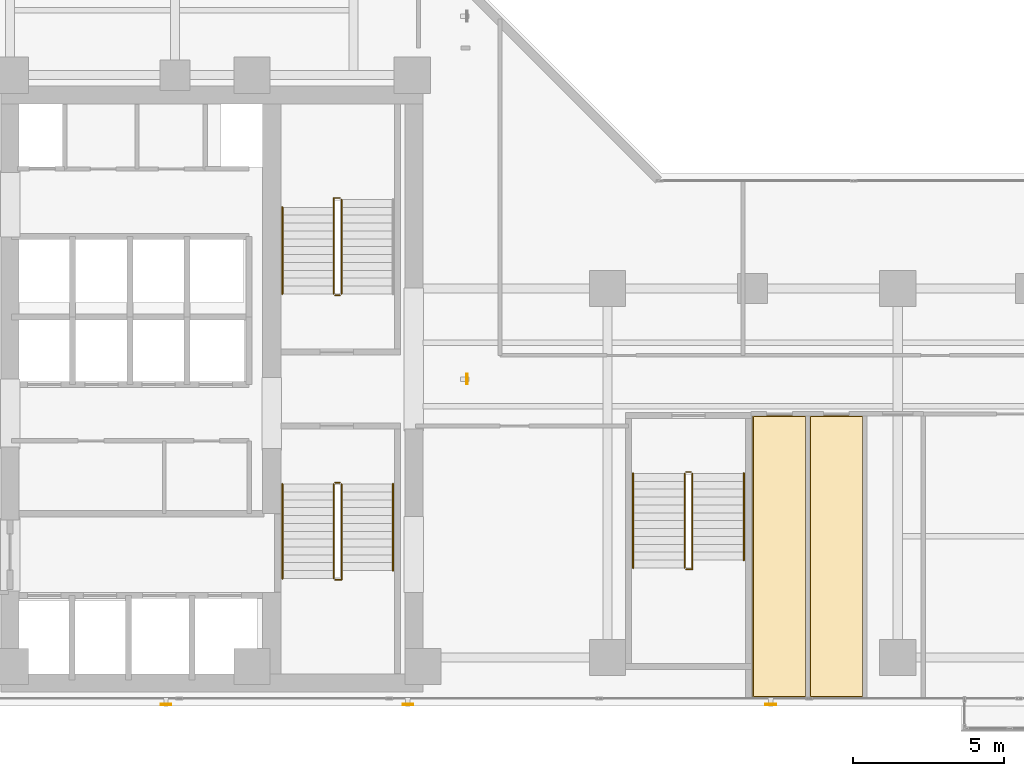
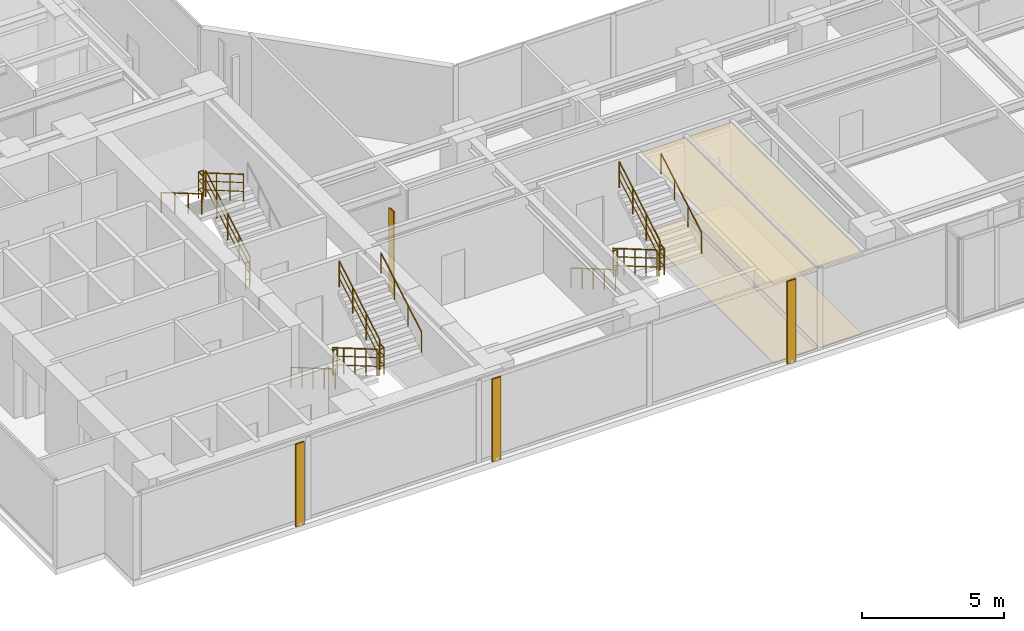
# One storey, part 23 of 26: 17 railings, 4 coverings, 4 shading devices.
"""IFC4 building model written with IfcOpenShell, lengths in metres."""

from ifc_helpers import new_model, si_unit, direction, frame, origin, origin_2d, place, context, subcontext, project, spatial, polyline, hollow_rectangle, circle, outline, extrude, material, layer, layer_set, material_profile, profile_set, type_object, element, save


model = new_model("IFC4")

# Units and contexts
model_context = context("Model", 3, precision=1e-05, world=origin(), true_north=direction((0.0, 1.0)))
body_context = subcontext(model_context, "Body", "Model", "MODEL_VIEW")
ifc_project = project(units=[si_unit("LENGTHUNIT", "METRE"), si_unit("AREAUNIT", "SQUARE_METRE"), si_unit("VOLUMEUNIT", "CUBIC_METRE"), si_unit("PLANEANGLEUNIT", "RADIAN"), si_unit("MASSUNIT", "GRAM", prefix="KILO")], contexts=[model_context])

# Site, building, storey
site_placement = place(None, origin())
site = spatial("IfcSite", under=ifc_project, at=site_placement, CompositionType="ELEMENT")
building_placement = place(site_placement, origin())
building = spatial("IfcBuilding", under=site, at=building_placement, Name="Kolvaren Waterfront Exchange", CompositionType="ELEMENT")
storey_placement = place(building_placement, frame((0.0, 0.0, 165.199951171875)))
storey = spatial("IfcBuildingStorey", under=building, at=storey_placement, Name="L42", CompositionType="ELEMENT", Elevation=165.199951171875)

# Coverings
ifc_material_1 = material(Name="Mineral fibre acoustic ceiling tile")
ifc_layer_1 = layer(ifc_material_1, 0.02490234375, Name="Mineral fibre acoustic ceiling tile")
ifc_layer_set_1 = layer_set([ifc_layer_1], Name="Mineral fibre acoustic ceiling tile")
covering_type_1 = type_object("IfcCoveringType", Name="ARC-CEIL-ACOUSTIC-25", PredefinedType="CEILING", material=ifc_layer_set_1)
covering_1_placement = place(storey_placement, frame((0.0, 0.0, 3.445068359375)))
element("IfcCovering", 1, at=covering_1_placement, inside=storey, type_object=covering_type_1, Name="L42 acoustic suspended ceiling 2", PredefinedType="CEILING", context=body_context, shape_type="SweptSolid", body=[
    extrude(outline(polyline([(33.784912109375, 3.864990234375), (33.784912109375, 13.195068359375), (32.0, 13.195068359375), (32.0, 4.800048828125), (31.9951171875, 4.800048828125), (31.9951171875, 3.864990234375), (33.784912109375, 3.864990234375)])), origin(), (0.0, 0.0, 1.0), 0.02490234375),
])
covering_2_placement = place(storey_placement, frame((0.0, 0.0, 3.445068359375)))
element("IfcCovering", 2, at=covering_2_placement, inside=storey, type_object=covering_type_1, Name="L42 acoustic suspended ceiling 3", PredefinedType="CEILING", context=body_context, shape_type="SweptSolid", body=[
    extrude(outline(polyline([(35.6650390625, 3.864990234375), (35.6650390625, 13.195068359375), (33.875, 13.195068359375), (33.875, 3.864990234375), (35.6650390625, 3.864990234375)])), origin(), (0.0, 0.0, 1.0), 0.02490234375),
])

# Shading devices
ifc_material_2 = material(Name="Anodised bronze aluminium 6063-T6", Category="aluminium")
ifc_material_profile = material_profile(ifc_material_2, hollow_rectangle(XDim=0.06005859375, YDim=0.35009765625, WallThickness=0.0048828125, at=origin_2d()), Name="BRZ-FIN-350x60x5")
ifc_profile_set = profile_set([ifc_material_profile], Name="Anodised bronze aluminium 6063-T6")
shading_device_type = type_object("IfcShadingDeviceType", Name="ARC-FIN-350", PredefinedType="USERDEFINED", material=ifc_profile_set)
for number, where, z_axis, x_axis, name in (
    (3, (12.60009765625, 3.639892578125, 0.0), (0.0, 0.0, 1.0), (0.0, -1.0, 0.0), "L42 anodised bronze solar shading fin FIN-L42-S1"),
    (4, (20.60009765625, 3.639892578125, 0.0), (0.0, 0.0, 1.0), (0.0, -1.0, 0.0), "L42 anodised bronze solar shading fin FIN-L42-S2"),
    (5, (32.60009765625, 3.639892578125, 0.0), (0.0, 0.0, 1.0), (0.0, -1.0, 0.0), "L42 anodised bronze solar shading fin FIN-L42-S3"),
    (6, (22.56005859375, 14.39990234375, 0.0), (0.0, 0.0, 1.0), (1.0, 0.0, 0.0), "L42 anodised bronze solar shading fin FIN-L42-E1"),
):
    element("IfcShadingDevice", number, at=place(storey_placement, frame(where, z_axis=z_axis, x_axis=x_axis)), inside=storey, type_object=shading_device_type, Name=name, ObjectType="SOLAR FIN", PredefinedType="USERDEFINED", context=body_context, shape_type="SweptSolid", body=[
        extrude(hollow_rectangle(XDim=0.06005859375, YDim=0.35009765625, WallThickness=0.0048828125, at=origin_2d()), origin(), (0.0, 0.0, 1.0), 3.56005859375),
    ])

# Coverings
ifc_material_3 = material(Name="Slip-resistant porcelain tile")
ifc_layer_2 = layer(ifc_material_3, 0.014892578125, Name="Slip-resistant porcelain tile")
ifc_layer_set_2 = layer_set([ifc_layer_2], Name="Slip-resistant porcelain tile")
covering_type_2 = type_object("IfcCoveringType", Name="ARC-FLR-PORC-15", PredefinedType="FLOORING", material=ifc_layer_set_2)
covering_3_placement = place(storey_placement, origin())
element("IfcCovering", 7, at=covering_3_placement, inside=storey, type_object=covering_type_2, Name="L42 floor finish 2", PredefinedType="FLOORING", context=body_context, shape_type="SweptSolid", body=[
    extrude(outline(polyline([(32.030029296875, 13.159912109375), (32.030029296875, 3.89990234375), (33.75, 3.89990234375), (33.75, 13.159912109375), (32.030029296875, 13.159912109375)])), origin(), (0.0, 0.0, 1.0), 0.01513671875),
])
covering_4_placement = place(storey_placement, origin())
element("IfcCovering", 8, at=covering_4_placement, inside=storey, type_object=covering_type_2, Name="L42 floor finish 3", PredefinedType="FLOORING", context=body_context, shape_type="SweptSolid", body=[
    extrude(outline(polyline([(33.909912109375, 13.159912109375), (33.909912109375, 3.89990234375), (35.6298828125, 3.89990234375), (35.6298828125, 13.159912109375), (33.909912109375, 13.159912109375)])), origin(), (0.0, 0.0, 1.0), 0.01513671875),
])

# Railings
ifc_material_4 = material(Name="Stainless steel 316", Category="steel")
railing_type_1 = type_object("IfcRailingType", Name="ARC-GUARD-STAIR", PredefinedType="GUARDRAIL", material=ifc_material_4)
railing_1_placement = place(storey_placement, frame((18.14990234375, 10.929931640625, 0.152099609375)))
element("IfcRailing", 9, at=railing_1_placement, inside=storey, type_object=railing_type_1, Name="L42 ST1 stair guard 1", PredefinedType="GUARDRAIL", context=body_context, shape_type="SweptSolid", body=[
    extrude(circle(Radius=0.02392578125, at=origin_2d()), frame((0.0, 0.0, 1.1259765625), z_axis=(0.0, -0.86329090724, 0.504706656858), x_axis=(1.0, 0.0, 0.0)), (0.0, 0.0, 1.0), 3.614013671875),
    extrude(circle(Radius=0.01611328125, at=origin_2d()), frame((0.0, 0.0, 0.390869140625), z_axis=(0.0, -0.86329090724, 0.504706656858), x_axis=(1.0, 0.0, 0.0)), (0.0, 0.0, 1.0), 3.614013671875),
    extrude(circle(Radius=0.01611328125, at=origin_2d()), frame((0.0, 0.0, 0.7705078125), z_axis=(0.0, -0.86329090724, 0.504706656858), x_axis=(1.0, 0.0, 0.0)), (0.0, 0.0, 1.0), 3.614013671875),
    extrude(circle(Radius=0.02099609375, at=origin_2d()), origin(), (0.0, 0.0, 1.0), 1.101806640625),
    extrude(circle(Radius=0.02099609375, at=origin_2d()), frame((0.0, -0.780029296875, 0.4560546875)), (0.0, 0.0, 1.0), 1.101806640625),
    extrude(circle(Radius=0.02099609375, at=origin_2d()), frame((0.0, -1.56005859375, 0.912109375)), (0.0, 0.0, 1.0), 1.101806640625),
    extrude(circle(Radius=0.02099609375, at=origin_2d()), frame((0.0, -2.33984375, 1.367919921875)), (0.0, 0.0, 1.0), 1.101806640625),
    extrude(circle(Radius=0.02099609375, at=origin_2d()), frame((0.0, -3.119873046875, 1.823974609375)), (0.0, 0.0, 1.0), 1.101806640625),
])
railing_2_placement = place(storey_placement, frame((18.199951171875, 7.760009765625, 1.97607421875)))
element("IfcRailing", 10, at=railing_2_placement, inside=storey, type_object=railing_type_1, Name="L42 ST1 stair guard 2", PredefinedType="GUARDRAIL", context=body_context, shape_type="SweptSolid", body=[
    extrude(circle(Radius=0.02392578125, at=origin_2d()), frame((0.0, 0.0, 1.1259765625), z_axis=(1.0, 0.0, 0.0), x_axis=(0.0, 1.0, 0.0)), (0.0, 0.0, 1.0), 0.2099609375),
    extrude(circle(Radius=0.01611328125, at=origin_2d()), frame((0.0, 0.0, 0.390869140625), z_axis=(1.0, 0.0, 0.0), x_axis=(0.0, 1.0, 0.0)), (0.0, 0.0, 1.0), 0.2099609375),
    extrude(circle(Radius=0.01611328125, at=origin_2d()), frame((0.0, 0.0, 0.7705078125), z_axis=(1.0, 0.0, 0.0), x_axis=(0.0, 1.0, 0.0)), (0.0, 0.0, 1.0), 0.2099609375),
    extrude(circle(Radius=0.02392578125, at=origin_2d()), frame((0.2099609375, 0.0, 1.1259765625), z_axis=(0.0, 1.0, 0.0), x_axis=(-1.0, 0.0, 0.0)), (0.0, 0.0, 1.0), 0.31005859375),
    extrude(circle(Radius=0.01611328125, at=origin_2d()), frame((0.2099609375, 0.0, 0.390869140625), z_axis=(0.0, 1.0, 0.0), x_axis=(-1.0, 0.0, 0.0)), (0.0, 0.0, 1.0), 0.31005859375),
    extrude(circle(Radius=0.01611328125, at=origin_2d()), frame((0.2099609375, 0.0, 0.7705078125), z_axis=(0.0, 1.0, 0.0), x_axis=(-1.0, 0.0, 0.0)), (0.0, 0.0, 1.0), 0.31005859375),
    extrude(circle(Radius=0.02099609375, at=origin_2d()), origin(), (0.0, 0.0, 1.0), 1.101806640625),
    extrude(circle(Radius=0.02099609375, at=origin_2d()), frame((0.2099609375, 0.0, 0.0)), (0.0, 0.0, 1.0), 1.101806640625),
    extrude(circle(Radius=0.02099609375, at=origin_2d()), frame((0.2099609375, 0.31005859375, 0.0)), (0.0, 0.0, 1.0), 1.101806640625),
])
railing_3_placement = place(storey_placement, frame((18.409912109375, 8.070068359375, 2.1279296875)))
element("IfcRailing", 11, at=railing_3_placement, inside=storey, type_object=railing_type_1, Name="L42 ST1 stair guard 3", PredefinedType="GUARDRAIL", context=body_context, shape_type="SweptSolid", body=[
    extrude(circle(Radius=0.02392578125, at=origin_2d()), frame((0.0, 0.0, 1.1259765625), z_axis=(0.0, 0.863270611444, 0.50474137082), x_axis=(-1.0, 0.0, 0.0)), (0.0, 0.0, 1.0), 3.312744140625),
    extrude(circle(Radius=0.01611328125, at=origin_2d()), frame((0.0, 0.0, 0.390869140625), z_axis=(0.0, 0.863270611444, 0.50474137082), x_axis=(-1.0, 0.0, 0.0)), (0.0, 0.0, 1.0), 3.312744140625),
    extrude(circle(Radius=0.01611328125, at=origin_2d()), frame((0.0, 0.0, 0.7705078125), z_axis=(0.0, 0.863270611444, 0.50474137082), x_axis=(-1.0, 0.0, 0.0)), (0.0, 0.0, 1.0), 3.312744140625),
    extrude(circle(Radius=0.02099609375, at=origin_2d()), origin(), (0.0, 0.0, 1.0), 1.101806640625),
    extrude(circle(Radius=0.02099609375, at=origin_2d()), frame((0.0, 0.953369140625, 0.557373046875)), (0.0, 0.0, 1.0), 1.101806640625),
    extrude(circle(Radius=0.02099609375, at=origin_2d()), frame((0.0, 1.906494140625, 1.11474609375)), (0.0, 0.0, 1.0), 1.101806640625),
    extrude(circle(Radius=0.02099609375, at=origin_2d()), frame((0.0, 2.85986328125, 1.672119140625)), (0.0, 0.0, 1.0), 1.101806640625),
])
railing_4_placement = place(storey_placement, frame((18.199951171875, 10.97998046875, 0.0)))
element("IfcRailing", 12, at=railing_4_placement, inside=storey, type_object=railing_type_1, Name="L42 ST1 stair guard 4", PredefinedType="GUARDRAIL", context=body_context, shape_type="SweptSolid", body=[
    extrude(circle(Radius=0.02392578125, at=origin_2d()), frame((0.0, 0.0, 1.1259765625), z_axis=(1.0, 0.0, 0.0), x_axis=(0.0, 1.0, 0.0)), (0.0, 0.0, 1.0), 0.16015625),
    extrude(circle(Radius=0.01611328125, at=origin_2d()), frame((0.0, 0.0, 0.390869140625), z_axis=(1.0, 0.0, 0.0), x_axis=(0.0, 1.0, 0.0)), (0.0, 0.0, 1.0), 0.16015625),
    extrude(circle(Radius=0.01611328125, at=origin_2d()), frame((0.0, 0.0, 0.7705078125), z_axis=(1.0, 0.0, 0.0), x_axis=(0.0, 1.0, 0.0)), (0.0, 0.0, 1.0), 0.16015625),
    extrude(circle(Radius=0.02099609375, at=origin_2d()), origin(), (0.0, 0.0, 1.0), 1.101806640625),
    extrude(circle(Radius=0.02099609375, at=origin_2d()), frame((0.16015625, 0.0, 0.0)), (0.0, 0.0, 1.0), 1.101806640625),
])
railing_5_placement = place(storey_placement, frame((18.409912109375, 17.219970703125, 0.152099609375)))
element("IfcRailing", 13, at=railing_5_placement, inside=storey, type_object=railing_type_1, Name="L42 ST2 stair guard 1", PredefinedType="GUARDRAIL", context=body_context, shape_type="SweptSolid", body=[
    extrude(circle(Radius=0.02392578125, at=origin_2d()), frame((0.0, 0.0, 1.1259765625), z_axis=(0.0, 0.86330811405, 0.504677223793), x_axis=(-1.0, 0.0, 0.0)), (0.0, 0.0, 1.0), 3.6142578125),
    extrude(circle(Radius=0.01611328125, at=origin_2d()), frame((0.0, 0.0, 0.390869140625), z_axis=(0.0, 0.86330811405, 0.504677223793), x_axis=(-1.0, 0.0, 0.0)), (0.0, 0.0, 1.0), 3.6142578125),
    extrude(circle(Radius=0.01611328125, at=origin_2d()), frame((0.0, 0.0, 0.7705078125), z_axis=(0.0, 0.86330811405, 0.504677223793), x_axis=(-1.0, 0.0, 0.0)), (0.0, 0.0, 1.0), 3.6142578125),
    extrude(circle(Radius=0.02099609375, at=origin_2d()), origin(), (0.0, 0.0, 1.0), 1.101806640625),
    extrude(circle(Radius=0.02099609375, at=origin_2d()), frame((0.0, 0.780029296875, 0.4560546875)), (0.0, 0.0, 1.0), 1.101806640625),
    extrude(circle(Radius=0.02099609375, at=origin_2d()), frame((0.0, 1.56005859375, 0.912109375)), (0.0, 0.0, 1.0), 1.101806640625),
    extrude(circle(Radius=0.02099609375, at=origin_2d()), frame((0.0, 2.340087890625, 1.367919921875)), (0.0, 0.0, 1.0), 1.101806640625),
    extrude(circle(Radius=0.02099609375, at=origin_2d()), frame((0.0, 3.1201171875, 1.823974609375)), (0.0, 0.0, 1.0), 1.101806640625),
])
railing_6_placement = place(storey_placement, frame((18.360107421875, 20.389892578125, 1.97607421875)))
element("IfcRailing", 14, at=railing_6_placement, inside=storey, type_object=railing_type_1, Name="L42 ST2 stair guard 2", PredefinedType="GUARDRAIL", context=body_context, shape_type="SweptSolid", body=[
    extrude(circle(Radius=0.02392578125, at=origin_2d()), frame((0.0, 0.0, 1.1259765625), z_axis=(-1.0, 0.0, 0.0), x_axis=(0.0, -1.0, 0.0)), (0.0, 0.0, 1.0), 0.210205078125),
    extrude(circle(Radius=0.01611328125, at=origin_2d()), frame((0.0, 0.0, 0.390869140625), z_axis=(-1.0, 0.0, 0.0), x_axis=(0.0, -1.0, 0.0)), (0.0, 0.0, 1.0), 0.210205078125),
    extrude(circle(Radius=0.01611328125, at=origin_2d()), frame((0.0, 0.0, 0.7705078125), z_axis=(-1.0, 0.0, 0.0), x_axis=(0.0, -1.0, 0.0)), (0.0, 0.0, 1.0), 0.210205078125),
    extrude(circle(Radius=0.02392578125, at=origin_2d()), frame((-0.210205078125, 0.0, 1.1259765625), z_axis=(0.0, -1.0, 0.0), x_axis=(1.0, 0.0, 0.0)), (0.0, 0.0, 1.0), 0.309814453125),
    extrude(circle(Radius=0.01611328125, at=origin_2d()), frame((-0.210205078125, 0.0, 0.390869140625), z_axis=(0.0, -1.0, 0.0), x_axis=(1.0, 0.0, 0.0)), (0.0, 0.0, 1.0), 0.309814453125),
    extrude(circle(Radius=0.01611328125, at=origin_2d()), frame((-0.210205078125, 0.0, 0.7705078125), z_axis=(0.0, -1.0, 0.0), x_axis=(1.0, 0.0, 0.0)), (0.0, 0.0, 1.0), 0.309814453125),
    extrude(circle(Radius=0.02099609375, at=origin_2d()), origin(), (0.0, 0.0, 1.0), 1.101806640625),
    extrude(circle(Radius=0.02099609375, at=origin_2d()), frame((-0.210205078125, 0.0, 0.0)), (0.0, 0.0, 1.0), 1.101806640625),
    extrude(circle(Radius=0.02099609375, at=origin_2d()), frame((-0.210205078125, -0.309814453125, 0.0)), (0.0, 0.0, 1.0), 1.101806640625),
])
railing_7_placement = place(storey_placement, frame((18.14990234375, 20.080078125, 2.1279296875)))
element("IfcRailing", 15, at=railing_7_placement, inside=storey, type_object=railing_type_1, Name="L42 ST2 stair guard 3", PredefinedType="GUARDRAIL", context=body_context, shape_type="SweptSolid", body=[
    extrude(circle(Radius=0.02392578125, at=origin_2d()), frame((0.0, 0.0, 1.1259765625), z_axis=(0.0, -0.863289384635, 0.504709261235), x_axis=(1.0, 0.0, 0.0)), (0.0, 0.0, 1.0), 3.31298828125),
    extrude(circle(Radius=0.01611328125, at=origin_2d()), frame((0.0, 0.0, 0.390869140625), z_axis=(0.0, -0.863289384635, 0.504709261235), x_axis=(1.0, 0.0, 0.0)), (0.0, 0.0, 1.0), 3.31298828125),
    extrude(circle(Radius=0.01611328125, at=origin_2d()), frame((0.0, 0.0, 0.7705078125), z_axis=(0.0, -0.863289384635, 0.504709261235), x_axis=(1.0, 0.0, 0.0)), (0.0, 0.0, 1.0), 3.31298828125),
    extrude(circle(Radius=0.02099609375, at=origin_2d()), origin(), (0.0, 0.0, 1.0), 1.101806640625),
    extrude(circle(Radius=0.02099609375, at=origin_2d()), frame((0.0, -0.953369140625, 0.557373046875)), (0.0, 0.0, 1.0), 1.101806640625),
    extrude(circle(Radius=0.02099609375, at=origin_2d()), frame((0.0, -1.90673828125, 1.11474609375)), (0.0, 0.0, 1.0), 1.101806640625),
    extrude(circle(Radius=0.02099609375, at=origin_2d()), frame((0.0, -2.860107421875, 1.672119140625)), (0.0, 0.0, 1.0), 1.101806640625),
])
railing_8_placement = place(storey_placement, frame((18.360107421875, 17.169921875, 0.0)))
element("IfcRailing", 16, at=railing_8_placement, inside=storey, type_object=railing_type_1, Name="L42 ST2 stair guard 4", PredefinedType="GUARDRAIL", context=body_context, shape_type="SweptSolid", body=[
    extrude(circle(Radius=0.02392578125, at=origin_2d()), frame((0.0, 0.0, 1.1259765625), z_axis=(-1.0, 0.0, 0.0), x_axis=(0.0, -1.0, 0.0)), (0.0, 0.0, 1.0), 0.16015625),
    extrude(circle(Radius=0.01611328125, at=origin_2d()), frame((0.0, 0.0, 0.390869140625), z_axis=(-1.0, 0.0, 0.0), x_axis=(0.0, -1.0, 0.0)), (0.0, 0.0, 1.0), 0.16015625),
    extrude(circle(Radius=0.01611328125, at=origin_2d()), frame((0.0, 0.0, 0.7705078125), z_axis=(-1.0, 0.0, 0.0), x_axis=(0.0, -1.0, 0.0)), (0.0, 0.0, 1.0), 0.16015625),
    extrude(circle(Radius=0.02099609375, at=origin_2d()), origin(), (0.0, 0.0, 1.0), 1.101806640625),
    extrude(circle(Radius=0.02099609375, at=origin_2d()), frame((-0.16015625, 0.0, 0.0)), (0.0, 0.0, 1.0), 1.101806640625),
])
railing_9_placement = place(storey_placement, frame((29.75, 11.280029296875, 0.152099609375)))
element("IfcRailing", 17, at=railing_9_placement, inside=storey, type_object=railing_type_1, Name="L42 ST3 stair guard 1", PredefinedType="GUARDRAIL", context=body_context, shape_type="SweptSolid", body=[
    extrude(circle(Radius=0.02392578125, at=origin_2d()), frame((0.0, 0.0, 1.1259765625), z_axis=(0.0, -0.86330811405, 0.504677223793), x_axis=(1.0, 0.0, 0.0)), (0.0, 0.0, 1.0), 3.6142578125),
    extrude(circle(Radius=0.01611328125, at=origin_2d()), frame((0.0, 0.0, 0.390869140625), z_axis=(0.0, -0.86330811405, 0.504677223793), x_axis=(1.0, 0.0, 0.0)), (0.0, 0.0, 1.0), 3.6142578125),
    extrude(circle(Radius=0.01611328125, at=origin_2d()), frame((0.0, 0.0, 0.7705078125), z_axis=(0.0, -0.86330811405, 0.504677223793), x_axis=(1.0, 0.0, 0.0)), (0.0, 0.0, 1.0), 3.6142578125),
    extrude(circle(Radius=0.02099609375, at=origin_2d()), origin(), (0.0, 0.0, 1.0), 1.101806640625),
    extrude(circle(Radius=0.02099609375, at=origin_2d()), frame((0.0, -0.780029296875, 0.4560546875)), (0.0, 0.0, 1.0), 1.101806640625),
    extrude(circle(Radius=0.02099609375, at=origin_2d()), frame((0.0, -1.56005859375, 0.912109375)), (0.0, 0.0, 1.0), 1.101806640625),
    extrude(circle(Radius=0.02099609375, at=origin_2d()), frame((0.0, -2.340087890625, 1.367919921875)), (0.0, 0.0, 1.0), 1.101806640625),
    extrude(circle(Radius=0.02099609375, at=origin_2d()), frame((0.0, -3.1201171875, 1.823974609375)), (0.0, 0.0, 1.0), 1.101806640625),
])
railing_10_placement = place(storey_placement, frame((29.800048828125, 8.110107421875, 1.97607421875)))
element("IfcRailing", 18, at=railing_10_placement, inside=storey, type_object=railing_type_1, Name="L42 ST3 stair guard 2", PredefinedType="GUARDRAIL", context=body_context, shape_type="SweptSolid", body=[
    extrude(circle(Radius=0.02392578125, at=origin_2d()), frame((0.0, 0.0, 1.1259765625), z_axis=(1.0, 0.0, 0.0), x_axis=(0.0, 1.0, 0.0)), (0.0, 0.0, 1.0), 0.2099609375),
    extrude(circle(Radius=0.01611328125, at=origin_2d()), frame((0.0, 0.0, 0.390869140625), z_axis=(1.0, 0.0, 0.0), x_axis=(0.0, 1.0, 0.0)), (0.0, 0.0, 1.0), 0.2099609375),
    extrude(circle(Radius=0.01611328125, at=origin_2d()), frame((0.0, 0.0, 0.7705078125), z_axis=(1.0, 0.0, 0.0), x_axis=(0.0, 1.0, 0.0)), (0.0, 0.0, 1.0), 0.2099609375),
    extrude(circle(Radius=0.02392578125, at=origin_2d()), frame((0.2099609375, 0.0, 1.1259765625), z_axis=(0.0, 1.0, 0.0), x_axis=(-1.0, 0.0, 0.0)), (0.0, 0.0, 1.0), 0.309814453125),
    extrude(circle(Radius=0.01611328125, at=origin_2d()), frame((0.2099609375, 0.0, 0.390869140625), z_axis=(0.0, 1.0, 0.0), x_axis=(-1.0, 0.0, 0.0)), (0.0, 0.0, 1.0), 0.309814453125),
    extrude(circle(Radius=0.01611328125, at=origin_2d()), frame((0.2099609375, 0.0, 0.7705078125), z_axis=(0.0, 1.0, 0.0), x_axis=(-1.0, 0.0, 0.0)), (0.0, 0.0, 1.0), 0.309814453125),
    extrude(circle(Radius=0.02099609375, at=origin_2d()), origin(), (0.0, 0.0, 1.0), 1.101806640625),
    extrude(circle(Radius=0.02099609375, at=origin_2d()), frame((0.2099609375, 0.0, 0.0)), (0.0, 0.0, 1.0), 1.101806640625),
    extrude(circle(Radius=0.02099609375, at=origin_2d()), frame((0.2099609375, 0.309814453125, 0.0)), (0.0, 0.0, 1.0), 1.101806640625),
])
railing_11_placement = place(storey_placement, frame((30.010009765625, 8.419921875, 2.1279296875)))
element("IfcRailing", 19, at=railing_11_placement, inside=storey, type_object=railing_type_1, Name="L42 ST3 stair guard 3", PredefinedType="GUARDRAIL", context=body_context, shape_type="SweptSolid", body=[
    extrude(circle(Radius=0.02392578125, at=origin_2d()), frame((0.0, 0.0, 1.1259765625), z_axis=(0.0, 0.863289384635, 0.504709261235), x_axis=(-1.0, 0.0, 0.0)), (0.0, 0.0, 1.0), 3.31298828125),
    extrude(circle(Radius=0.01611328125, at=origin_2d()), frame((0.0, 0.0, 0.390869140625), z_axis=(0.0, 0.863289384635, 0.504709261235), x_axis=(-1.0, 0.0, 0.0)), (0.0, 0.0, 1.0), 3.31298828125),
    extrude(circle(Radius=0.01611328125, at=origin_2d()), frame((0.0, 0.0, 0.7705078125), z_axis=(0.0, 0.863289384635, 0.504709261235), x_axis=(-1.0, 0.0, 0.0)), (0.0, 0.0, 1.0), 3.31298828125),
    extrude(circle(Radius=0.02099609375, at=origin_2d()), origin(), (0.0, 0.0, 1.0), 1.101806640625),
    extrude(circle(Radius=0.02099609375, at=origin_2d()), frame((0.0, 0.953369140625, 0.557373046875)), (0.0, 0.0, 1.0), 1.101806640625),
    extrude(circle(Radius=0.02099609375, at=origin_2d()), frame((0.0, 1.90673828125, 1.11474609375)), (0.0, 0.0, 1.0), 1.101806640625),
    extrude(circle(Radius=0.02099609375, at=origin_2d()), frame((0.0, 2.860107421875, 1.672119140625)), (0.0, 0.0, 1.0), 1.101806640625),
])
railing_12_placement = place(storey_placement, frame((29.800048828125, 11.330078125, 0.0)))
element("IfcRailing", 20, at=railing_12_placement, inside=storey, type_object=railing_type_1, Name="L42 ST3 stair guard 4", PredefinedType="GUARDRAIL", context=body_context, shape_type="SweptSolid", body=[
    extrude(circle(Radius=0.02392578125, at=origin_2d()), frame((0.0, 0.0, 1.1259765625), z_axis=(1.0, 0.0, 0.0), x_axis=(0.0, 1.0, 0.0)), (0.0, 0.0, 1.0), 0.159912109375),
    extrude(circle(Radius=0.01611328125, at=origin_2d()), frame((0.0, 0.0, 0.390869140625), z_axis=(1.0, 0.0, 0.0), x_axis=(0.0, 1.0, 0.0)), (0.0, 0.0, 1.0), 0.159912109375),
    extrude(circle(Radius=0.01611328125, at=origin_2d()), frame((0.0, 0.0, 0.7705078125), z_axis=(1.0, 0.0, 0.0), x_axis=(0.0, 1.0, 0.0)), (0.0, 0.0, 1.0), 0.159912109375),
    extrude(circle(Radius=0.02099609375, at=origin_2d()), origin(), (0.0, 0.0, 1.0), 1.101806640625),
    extrude(circle(Radius=0.02099609375, at=origin_2d()), frame((0.159912109375, 0.0, 0.0)), (0.0, 0.0, 1.0), 1.101806640625),
])
railing_type_2 = type_object("IfcRailingType", Name="ARC-HANDRAIL-900", PredefinedType="HANDRAIL", material=ifc_material_4)
railing_13_placement = place(storey_placement, frame((16.449951171875, 10.929931640625, 0.152099609375)))
element("IfcRailing", 21, at=railing_13_placement, inside=storey, type_object=railing_type_2, Name="L42 ST1 stair handrail 1", PredefinedType="HANDRAIL", context=body_context, shape_type="SweptSolid", body=[
    extrude(circle(Radius=0.02392578125, at=origin_2d()), frame((0.0, 0.0, 0.8759765625), z_axis=(0.0, -0.86329090724, 0.504706656858), x_axis=(1.0, 0.0, 0.0)), (0.0, 0.0, 1.0), 3.614013671875),
    extrude(circle(Radius=0.02099609375, at=origin_2d()), origin(), (0.0, 0.0, 1.0), 0.851806640625),
    extrude(circle(Radius=0.02099609375, at=origin_2d()), frame((0.0, -0.780029296875, 0.4560546875)), (0.0, 0.0, 1.0), 0.851806640625),
    extrude(circle(Radius=0.02099609375, at=origin_2d()), frame((0.0, -1.56005859375, 0.912109375)), (0.0, 0.0, 1.0), 0.851806640625),
    extrude(circle(Radius=0.02099609375, at=origin_2d()), frame((0.0, -2.33984375, 1.367919921875)), (0.0, 0.0, 1.0), 0.851806640625),
    extrude(circle(Radius=0.02099609375, at=origin_2d()), frame((0.0, -3.119873046875, 1.823974609375)), (0.0, 0.0, 1.0), 0.851806640625),
])
railing_14_placement = place(storey_placement, frame((20.110107421875, 8.070068359375, 2.1279296875)))
element("IfcRailing", 22, at=railing_14_placement, inside=storey, type_object=railing_type_2, Name="L42 ST1 stair handrail 2", PredefinedType="HANDRAIL", context=body_context, shape_type="SweptSolid", body=[
    extrude(circle(Radius=0.02392578125, at=origin_2d()), frame((0.0, 0.0, 0.8759765625), z_axis=(0.0, 0.863270611444, 0.50474137082), x_axis=(-1.0, 0.0, 0.0)), (0.0, 0.0, 1.0), 3.312744140625),
    extrude(circle(Radius=0.02099609375, at=origin_2d()), origin(), (0.0, 0.0, 1.0), 0.851806640625),
    extrude(circle(Radius=0.02099609375, at=origin_2d()), frame((0.0, 0.953369140625, 0.557373046875)), (0.0, 0.0, 1.0), 0.851806640625),
    extrude(circle(Radius=0.02099609375, at=origin_2d()), frame((0.0, 1.906494140625, 1.11474609375)), (0.0, 0.0, 1.0), 0.851806640625),
    extrude(circle(Radius=0.02099609375, at=origin_2d()), frame((0.0, 2.85986328125, 1.672119140625)), (0.0, 0.0, 1.0), 0.851806640625),
])
railing_15_placement = place(storey_placement, frame((16.449951171875, 20.080078125, 2.1279296875)))
element("IfcRailing", 23, at=railing_15_placement, inside=storey, type_object=railing_type_2, Name="L42 ST2 stair handrail 2", PredefinedType="HANDRAIL", context=body_context, shape_type="SweptSolid", body=[
    extrude(circle(Radius=0.02392578125, at=origin_2d()), frame((0.0, 0.0, 0.8759765625), z_axis=(0.0, -0.863289384635, 0.504709261235), x_axis=(1.0, 0.0, 0.0)), (0.0, 0.0, 1.0), 3.31298828125),
    extrude(circle(Radius=0.02099609375, at=origin_2d()), origin(), (0.0, 0.0, 1.0), 0.851806640625),
    extrude(circle(Radius=0.02099609375, at=origin_2d()), frame((0.0, -0.953369140625, 0.557373046875)), (0.0, 0.0, 1.0), 0.851806640625),
    extrude(circle(Radius=0.02099609375, at=origin_2d()), frame((0.0, -1.90673828125, 1.11474609375)), (0.0, 0.0, 1.0), 0.851806640625),
    extrude(circle(Radius=0.02099609375, at=origin_2d()), frame((0.0, -2.860107421875, 1.672119140625)), (0.0, 0.0, 1.0), 0.851806640625),
])
railing_16_placement = place(storey_placement, frame((28.050048828125, 11.280029296875, 0.152099609375)))
element("IfcRailing", 24, at=railing_16_placement, inside=storey, type_object=railing_type_2, Name="L42 ST3 stair handrail 1", PredefinedType="HANDRAIL", context=body_context, shape_type="SweptSolid", body=[
    extrude(circle(Radius=0.02392578125, at=origin_2d()), frame((0.0, 0.0, 0.8759765625), z_axis=(0.0, -0.86330811405, 0.504677223793), x_axis=(1.0, 0.0, 0.0)), (0.0, 0.0, 1.0), 3.6142578125),
    extrude(circle(Radius=0.02099609375, at=origin_2d()), origin(), (0.0, 0.0, 1.0), 0.851806640625),
    extrude(circle(Radius=0.02099609375, at=origin_2d()), frame((0.0, -0.780029296875, 0.4560546875)), (0.0, 0.0, 1.0), 0.851806640625),
    extrude(circle(Radius=0.02099609375, at=origin_2d()), frame((0.0, -1.56005859375, 0.912109375)), (0.0, 0.0, 1.0), 0.851806640625),
    extrude(circle(Radius=0.02099609375, at=origin_2d()), frame((0.0, -2.340087890625, 1.367919921875)), (0.0, 0.0, 1.0), 0.851806640625),
    extrude(circle(Radius=0.02099609375, at=origin_2d()), frame((0.0, -3.1201171875, 1.823974609375)), (0.0, 0.0, 1.0), 0.851806640625),
])
railing_17_placement = place(storey_placement, frame((31.7099609375, 8.419921875, 2.1279296875)))
element("IfcRailing", 25, at=railing_17_placement, inside=storey, type_object=railing_type_2, Name="L42 ST3 stair handrail 2", PredefinedType="HANDRAIL", context=body_context, shape_type="SweptSolid", body=[
    extrude(circle(Radius=0.02392578125, at=origin_2d()), frame((0.0, 0.0, 0.8759765625), z_axis=(0.0, 0.863289384635, 0.504709261235), x_axis=(-1.0, 0.0, 0.0)), (0.0, 0.0, 1.0), 3.31298828125),
    extrude(circle(Radius=0.02099609375, at=origin_2d()), origin(), (0.0, 0.0, 1.0), 0.851806640625),
    extrude(circle(Radius=0.02099609375, at=origin_2d()), frame((0.0, 0.953369140625, 0.557373046875)), (0.0, 0.0, 1.0), 0.851806640625),
    extrude(circle(Radius=0.02099609375, at=origin_2d()), frame((0.0, 1.90673828125, 1.11474609375)), (0.0, 0.0, 1.0), 0.851806640625),
    extrude(circle(Radius=0.02099609375, at=origin_2d()), frame((0.0, 2.860107421875, 1.672119140625)), (0.0, 0.0, 1.0), 0.851806640625),
])

save(model, "model.ifc")
